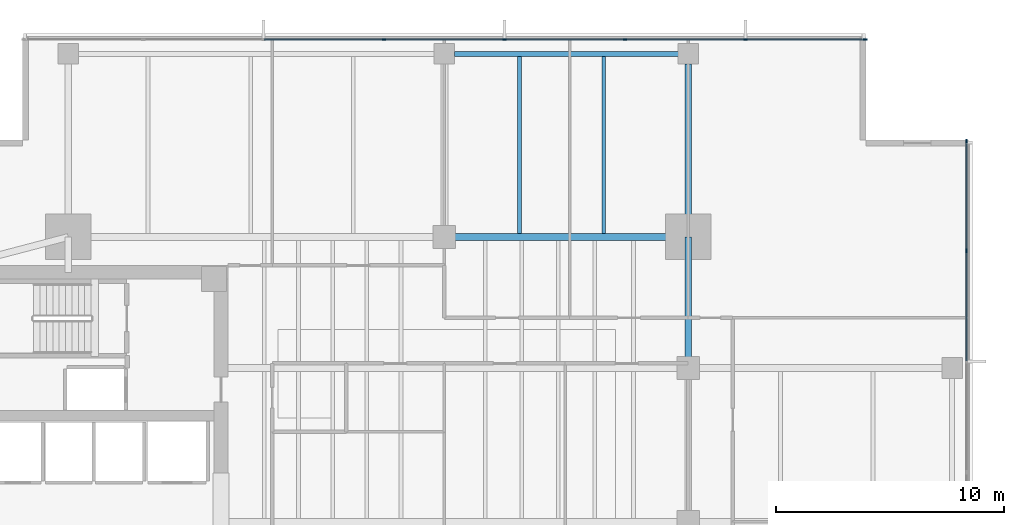
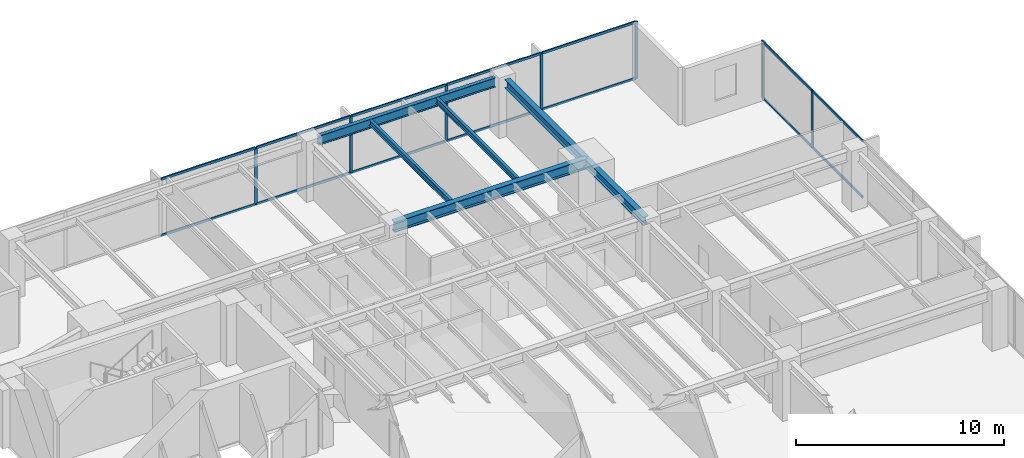
# One storey, part 6 of 14: 21 members, 6 beams, 2 elements without a shape of their own.
"""IFC4 building model written with IfcOpenShell, lengths in metres."""

from ifc_helpers import new_model, si_unit, direction, frame, origin, origin_2d, place, context, subcontext, project, spatial, rectangle, i_section, extrude, material, layer, layer_set, material_profile, profile_set, type_object, element, aggregate, save


model = new_model("IFC4")

# Units and contexts
model_context = context("Model", 3, precision=1e-05, world=origin(), true_north=direction((0.0, 1.0)))
body_context = subcontext(model_context, "Body", "Model", "MODEL_VIEW")
ifc_project = project(units=[si_unit("LENGTHUNIT", "METRE"), si_unit("AREAUNIT", "SQUARE_METRE"), si_unit("VOLUMEUNIT", "CUBIC_METRE"), si_unit("PLANEANGLEUNIT", "RADIAN"), si_unit("MASSUNIT", "GRAM", prefix="KILO")], contexts=[model_context])

# Site, building, storey
site_placement = place(None, origin())
site = spatial("IfcSite", under=ifc_project, at=site_placement, CompositionType="ELEMENT")
building_placement = place(site_placement, origin())
building = spatial("IfcBuilding", under=site, at=building_placement, Name="Kinhvarn Gate Tower", CompositionType="ELEMENT")
storey_placement = place(building_placement, frame((0.0, 0.0, 123.550048828125)))
storey = spatial("IfcBuildingStorey", under=building, at=storey_placement, Name="L32", CompositionType="ELEMENT", Elevation=123.550048828125)

# Curtain wall, members
ifc_material_1 = material(Name="Anodised aluminium AW-6063", Category="aluminium")
ifc_layer = layer(ifc_material_1, 0.179931640625)
ifc_layer_set = layer_set([ifc_layer], Name="Anodised aluminium AW-6063")
curtain_wall_type = type_object("IfcCurtainWallType", Name="CW-SYS-3", PredefinedType="NOTDEFINED", material=ifc_layer_set)
curtain_wall_1_placement = place(storey_placement, origin())
curtain_wall_1 = element("IfcCurtainWall", 1, at=curtain_wall_1_placement, inside=storey, type_object=curtain_wall_type, Name="Curtain Wall CW3 (L32)", PredefinedType="NOTDEFINED")
ifc_material_profile_1 = material_profile(ifc_material_1, rectangle(XDim=0.06494140625, YDim=0.159912109375, at=origin_2d()), Name="ALU 65x160")
ifc_profile_set_1 = profile_set([ifc_material_profile_1], Name="Anodised aluminium AW-6063")
member_type_1 = type_object("IfcMemberType", Name="CW-MUL-160", PredefinedType="MULLION", material=ifc_profile_set_1)
member_1_placement = place(storey_placement, frame((45.967529296875, 46.409912109375, 0.0), z_axis=(0.0, 0.0, 1.0), x_axis=(0.0, -1.0, 0.0)))
member_1 = element("IfcMember", 2, at=member_1_placement, type_object=member_type_1, Name="CW3 mullion 1", PredefinedType="MULLION", context=body_context, shape_type="SweptSolid", body=[
    extrude(rectangle(XDim=0.06494140625, YDim=0.159912109375, at=origin_2d()), origin(), (0.0, 0.0, 1.0), 3.369873046875),
])
member_2_placement = place(storey_placement, frame((40.71435546875, 46.409912109375, 0.0), z_axis=(0.0, 0.0, 1.0), x_axis=(0.0, -1.0, 0.0)))
member_2 = element("IfcMember", 3, at=member_2_placement, type_object=member_type_1, Name="CW3 mullion 2", PredefinedType="MULLION", context=body_context, shape_type="SweptSolid", body=[
    extrude(rectangle(XDim=0.06494140625, YDim=0.159912109375, at=origin_2d()), origin(), (0.0, 0.0, 1.0), 3.369873046875),
])
member_3_placement = place(storey_placement, frame((35.428466796875, 46.409912109375, 0.0), z_axis=(0.0, 0.0, 1.0), x_axis=(0.0, -1.0, 0.0)))
member_3 = element("IfcMember", 4, at=member_3_placement, type_object=member_type_1, Name="CW3 mullion 3", PredefinedType="MULLION", context=body_context, shape_type="SweptSolid", body=[
    extrude(rectangle(XDim=0.06494140625, YDim=0.159912109375, at=origin_2d()), origin(), (0.0, 0.0, 1.0), 3.369873046875),
])
member_4_placement = place(storey_placement, frame((30.142822265625, 46.409912109375, 0.0), z_axis=(0.0, 0.0, 1.0), x_axis=(0.0, -1.0, 0.0)))
member_4 = element("IfcMember", 5, at=member_4_placement, type_object=member_type_1, Name="CW3 mullion 4", PredefinedType="MULLION", context=body_context, shape_type="SweptSolid", body=[
    extrude(rectangle(XDim=0.06494140625, YDim=0.159912109375, at=origin_2d()), origin(), (0.0, 0.0, 1.0), 3.369873046875),
])
member_5_placement = place(storey_placement, frame((24.857177734375, 46.409912109375, 0.0), z_axis=(0.0, 0.0, 1.0), x_axis=(0.0, -1.0, 0.0)))
member_5 = element("IfcMember", 6, at=member_5_placement, type_object=member_type_1, Name="CW3 mullion 5", PredefinedType="MULLION", context=body_context, shape_type="SweptSolid", body=[
    extrude(rectangle(XDim=0.06494140625, YDim=0.159912109375, at=origin_2d()), origin(), (0.0, 0.0, 1.0), 3.369873046875),
])

curtain_wall_2_placement = place(storey_placement, origin())
curtain_wall_2 = element("IfcCurtainWall", 7, at=curtain_wall_2_placement, inside=storey, type_object=curtain_wall_type, Name="Curtain Wall CW3 (L32)", PredefinedType="NOTDEFINED")
member_6_placement = place(storey_placement, frame((50.409912109375, 37.142822265625, 0.0), z_axis=(0.0, 0.0, 1.0), x_axis=(-1.0, 0.0, 0.0)))
member_6 = element("IfcMember", 8, at=member_6_placement, type_object=member_type_1, Name="CW3 mullion 7", PredefinedType="MULLION", context=body_context, shape_type="SweptSolid", body=[
    extrude(rectangle(XDim=0.06494140625, YDim=0.159912109375, at=origin_2d()), origin(), (0.0, 0.0, 1.0), 3.369873046875),
])
member_7_placement = place(storey_placement, frame((50.409912109375, 41.967529296875, 0.0), z_axis=(0.0, 0.0, 1.0), x_axis=(-1.0, 0.0, 0.0)))
member_7 = element("IfcMember", 9, at=member_7_placement, type_object=member_type_1, Name="CW3 mullion 8", PredefinedType="MULLION", context=body_context, shape_type="SweptSolid", body=[
    extrude(rectangle(XDim=0.06494140625, YDim=0.159912109375, at=origin_2d()), origin(), (0.0, 0.0, 1.0), 3.369873046875),
])

# Member
ifc_material_profile_2 = material_profile(ifc_material_1, rectangle(XDim=0.070068359375, YDim=0.139892578125, at=origin_2d()), Name="ALU 70x140")
ifc_profile_set_2 = profile_set([ifc_material_profile_2], Name="Anodised aluminium AW-6063")
member_type_2 = type_object("IfcMemberType", Name="CW-TRN-140", PredefinedType="USERDEFINED", material=ifc_profile_set_2)
member_8_placement = place(storey_placement, frame((45.93505859375, 46.409912109375, 0.034912109375), z_axis=(-1.0, 0.0, 0.0), x_axis=(0.0, -1.0, 0.0)))
member_8 = element("IfcMember", 10, at=member_8_placement, type_object=member_type_2, Name="CW3 transom 1.1", ObjectType="TRANSOM", PredefinedType="USERDEFINED", context=body_context, shape_type="SweptSolid", body=[
    extrude(rectangle(XDim=0.070068359375, YDim=0.139892578125, at=origin_2d()), origin(), (0.0, 0.0, 1.0), 5.188232421875),
])

member_9_placement = place(storey_placement, frame((45.93505859375, 46.409912109375, 3.3349609375), z_axis=(-1.0, 0.0, 0.0), x_axis=(0.0, -1.0, 0.0)))
member_9 = element("IfcMember", 11, at=member_9_placement, type_object=member_type_2, Name="CW3 transom 1.2", ObjectType="TRANSOM", PredefinedType="USERDEFINED", context=body_context, shape_type="SweptSolid", body=[
    extrude(rectangle(XDim=0.070068359375, YDim=0.139892578125, at=origin_2d()), origin(), (0.0, 0.0, 1.0), 5.188232421875),
])

member_10_placement = place(storey_placement, frame((40.681884765625, 46.409912109375, 0.034912109375), z_axis=(-1.0, 0.0, 0.0), x_axis=(0.0, -1.0, 0.0)))
member_10 = element("IfcMember", 12, at=member_10_placement, type_object=member_type_2, Name="CW3 transom 2.1", ObjectType="TRANSOM", PredefinedType="USERDEFINED", context=body_context, shape_type="SweptSolid", body=[
    extrude(rectangle(XDim=0.070068359375, YDim=0.139892578125, at=origin_2d()), origin(), (0.0, 0.0, 1.0), 5.220703125),
])

member_11_placement = place(storey_placement, frame((40.681884765625, 46.409912109375, 3.3349609375), z_axis=(-1.0, 0.0, 0.0), x_axis=(0.0, -1.0, 0.0)))
member_11 = element("IfcMember", 13, at=member_11_placement, type_object=member_type_2, Name="CW3 transom 2.2", ObjectType="TRANSOM", PredefinedType="USERDEFINED", context=body_context, shape_type="SweptSolid", body=[
    extrude(rectangle(XDim=0.070068359375, YDim=0.139892578125, at=origin_2d()), origin(), (0.0, 0.0, 1.0), 5.220703125),
])

member_12_placement = place(storey_placement, frame((35.39599609375, 46.409912109375, 0.034912109375), z_axis=(-1.0, 0.0, 0.0), x_axis=(0.0, -1.0, 0.0)))
member_12 = element("IfcMember", 14, at=member_12_placement, type_object=member_type_2, Name="CW3 transom 3.1", ObjectType="TRANSOM", PredefinedType="USERDEFINED", context=body_context, shape_type="SweptSolid", body=[
    extrude(rectangle(XDim=0.070068359375, YDim=0.139892578125, at=origin_2d()), origin(), (0.0, 0.0, 1.0), 5.220703125),
])

member_13_placement = place(storey_placement, frame((35.39599609375, 46.409912109375, 3.3349609375), z_axis=(-1.0, 0.0, 0.0), x_axis=(0.0, -1.0, 0.0)))
member_13 = element("IfcMember", 15, at=member_13_placement, type_object=member_type_2, Name="CW3 transom 3.2", ObjectType="TRANSOM", PredefinedType="USERDEFINED", context=body_context, shape_type="SweptSolid", body=[
    extrude(rectangle(XDim=0.070068359375, YDim=0.139892578125, at=origin_2d()), origin(), (0.0, 0.0, 1.0), 5.220703125),
])

member_14_placement = place(storey_placement, frame((30.1103515625, 46.409912109375, 0.034912109375), z_axis=(-1.0, 0.0, 0.0), x_axis=(0.0, -1.0, 0.0)))
member_14 = element("IfcMember", 16, at=member_14_placement, type_object=member_type_2, Name="CW3 transom 4.1", ObjectType="TRANSOM", PredefinedType="USERDEFINED", context=body_context, shape_type="SweptSolid", body=[
    extrude(rectangle(XDim=0.070068359375, YDim=0.139892578125, at=origin_2d()), origin(), (0.0, 0.0, 1.0), 5.220703125),
])

member_15_placement = place(storey_placement, frame((30.1103515625, 46.409912109375, 3.3349609375), z_axis=(-1.0, 0.0, 0.0), x_axis=(0.0, -1.0, 0.0)))
member_15 = element("IfcMember", 17, at=member_15_placement, type_object=member_type_2, Name="CW3 transom 4.2", ObjectType="TRANSOM", PredefinedType="USERDEFINED", context=body_context, shape_type="SweptSolid", body=[
    extrude(rectangle(XDim=0.070068359375, YDim=0.139892578125, at=origin_2d()), origin(), (0.0, 0.0, 1.0), 5.220703125),
])

member_16_placement = place(storey_placement, frame((24.82470703125, 46.409912109375, 0.034912109375), z_axis=(-1.0, 0.0, 0.0), x_axis=(0.0, -1.0, 0.0)))
member_16 = element("IfcMember", 18, at=member_16_placement, type_object=member_type_2, Name="CW3 transom 5.1", ObjectType="TRANSOM", PredefinedType="USERDEFINED", context=body_context, shape_type="SweptSolid", body=[
    extrude(rectangle(XDim=0.070068359375, YDim=0.139892578125, at=origin_2d()), origin(), (0.0, 0.0, 1.0), 5.220703125),
])

member_17_placement = place(storey_placement, frame((24.82470703125, 46.409912109375, 3.3349609375), z_axis=(-1.0, 0.0, 0.0), x_axis=(0.0, -1.0, 0.0)))
member_17 = element("IfcMember", 19, at=member_17_placement, type_object=member_type_2, Name="CW3 transom 5.2", ObjectType="TRANSOM", PredefinedType="USERDEFINED", context=body_context, shape_type="SweptSolid", body=[
    extrude(rectangle(XDim=0.070068359375, YDim=0.139892578125, at=origin_2d()), origin(), (0.0, 0.0, 1.0), 5.220703125),
])

aggregate(curtain_wall_1, [member_1, member_2, member_3, member_4, member_5, member_8, member_9, member_10, member_11, member_12, member_13, member_14, member_15, member_16, member_17])

member_18_placement = place(storey_placement, frame((50.409912109375, 32.318115234375, 0.034912109375), z_axis=(0.0, 1.0, 0.0), x_axis=(-1.0, 0.0, 0.0)))
member_18 = element("IfcMember", 20, at=member_18_placement, type_object=member_type_2, Name="CW3 transom 6.1", ObjectType="TRANSOM", PredefinedType="USERDEFINED", context=body_context, shape_type="SweptSolid", body=[
    extrude(rectangle(XDim=0.070068359375, YDim=0.139892578125, at=origin_2d()), origin(), (0.0, 0.0, 1.0), 4.792236328125),
])

member_19_placement = place(storey_placement, frame((50.409912109375, 32.318115234375, 3.3349609375), z_axis=(0.0, 1.0, 0.0), x_axis=(-1.0, 0.0, 0.0)))
member_19 = element("IfcMember", 21, at=member_19_placement, type_object=member_type_2, Name="CW3 transom 6.2", ObjectType="TRANSOM", PredefinedType="USERDEFINED", context=body_context, shape_type="SweptSolid", body=[
    extrude(rectangle(XDim=0.070068359375, YDim=0.139892578125, at=origin_2d()), origin(), (0.0, 0.0, 1.0), 4.792236328125),
])

member_20_placement = place(storey_placement, frame((50.409912109375, 37.17529296875, 0.034912109375), z_axis=(0.0, 1.0, 0.0), x_axis=(-1.0, 0.0, 0.0)))
member_20 = element("IfcMember", 22, at=member_20_placement, type_object=member_type_2, Name="CW3 transom 7.1", ObjectType="TRANSOM", PredefinedType="USERDEFINED", context=body_context, shape_type="SweptSolid", body=[
    extrude(rectangle(XDim=0.070068359375, YDim=0.139892578125, at=origin_2d()), origin(), (0.0, 0.0, 1.0), 4.759765625),
])

member_21_placement = place(storey_placement, frame((50.409912109375, 37.17529296875, 3.3349609375), z_axis=(0.0, 1.0, 0.0), x_axis=(-1.0, 0.0, 0.0)))
member_21 = element("IfcMember", 23, at=member_21_placement, type_object=member_type_2, Name="CW3 transom 7.2", ObjectType="TRANSOM", PredefinedType="USERDEFINED", context=body_context, shape_type="SweptSolid", body=[
    extrude(rectangle(XDim=0.070068359375, YDim=0.139892578125, at=origin_2d()), origin(), (0.0, 0.0, 1.0), 4.759765625),
])

aggregate(curtain_wall_2, [member_6, member_7, member_18, member_19, member_20, member_21])

# Beams
ifc_material_2 = material(Name="Steel S355", Category="steel")
ifc_material_profile_3 = material_profile(ifc_material_2, i_section(OverallWidth=0.300048828125, OverallDepth=0.5, WebThickness=0.014404296875, FlangeThickness=0.028076171875, at=origin_2d()), Name="HEB 500")
ifc_profile_set_3 = profile_set([ifc_material_profile_3], Name="Steel S355")
beam_type_1 = type_object("IfcBeamType", Name="STL-HEB500", PredefinedType="BEAM", material=ifc_profile_set_3)
beam_1_placement = place(storey_placement, frame((38.199951171875, 37.75, 3.119873046875), z_axis=(0.0, 1.0, 0.0), x_axis=(-1.0, 0.0, 0.0)))
element("IfcBeam", 24, at=beam_1_placement, inside=storey, type_object=beam_type_1, Name="Floor Beam PG-14 (L32 MCE-N)", PredefinedType="BEAM", context=body_context, shape_type="SweptSolid", body=[
    extrude(i_section(OverallWidth=0.300048828125, OverallDepth=0.5, WebThickness=0.014404296875, FlangeThickness=0.028076171875, at=origin_2d()), origin(), (0.0, 0.0, 1.0), 7.594970703125),
])
beam_2_placement = place(storey_placement, frame((38.199951171875, 32.0, 3.119873046875), z_axis=(0.0, 1.0, 0.0), x_axis=(-1.0, 0.0, 0.0)))
element("IfcBeam", 25, at=beam_2_placement, inside=storey, type_object=beam_type_1, Name="Floor Beam PG-14 (L32 MG-E-32)", PredefinedType="BEAM", context=body_context, shape_type="SweptSolid", body=[
    extrude(i_section(OverallWidth=0.300048828125, OverallDepth=0.5, WebThickness=0.014404296875, FlangeThickness=0.028076171875, at=origin_2d()), origin(), (0.0, 0.0, 1.0), 5.75),
])
ifc_material_profile_4 = material_profile(ifc_material_2, i_section(OverallWidth=0.300048828125, OverallDepth=0.60009765625, WebThickness=0.015380859375, FlangeThickness=0.030029296875, at=origin_2d()), Name="HEB 600")
ifc_profile_set_4 = profile_set([ifc_material_profile_4], Name="Steel S355")
beam_type_2 = type_object("IfcBeamType", Name="STL-HEB600", PredefinedType="BEAM", material=ifc_profile_set_4)
beam_3_placement = place(storey_placement, frame((27.5, 37.75, 3.070068359375), z_axis=(1.0, 0.0, 0.0), x_axis=(0.0, 1.0, 0.0)))
element("IfcBeam", 26, at=beam_3_placement, inside=storey, type_object=beam_type_2, Name="Floor Beam PG-16 (L32 MG-N2)", PredefinedType="BEAM", context=body_context, shape_type="SweptSolid", body=[
    extrude(i_section(OverallWidth=0.300048828125, OverallDepth=0.60009765625, WebThickness=0.015380859375, FlangeThickness=0.030029296875, at=origin_2d()), origin(), (0.0, 0.0, 1.0), 10.699951171875),
])
ifc_material_profile_5 = material_profile(ifc_material_2, i_section(OverallWidth=0.159912109375, OverallDepth=0.330078125, WebThickness=0.007568359375, FlangeThickness=0.011474609375, at=origin_2d()), Name="IPE 330")
ifc_profile_set_5 = profile_set([ifc_material_profile_5], Name="Steel S355")
beam_type_3 = type_object("IfcBeamType", Name="STL-IPE330", PredefinedType="JOIST", material=ifc_profile_set_5)
for number, where, z_axis, x_axis, name in (
    (27, (30.800048828125, 37.89990234375, 3.204833984375), (0.0, 1.0, 0.0), (-1.0, 0.0, 0.0), "Floor Joist SB-03 (L32 JN-X308)"),
    (28, (34.5, 37.89990234375, 3.204833984375), (0.0, 1.0, 0.0), (-1.0, 0.0, 0.0), "Floor Joist SB-03 (L32 JN-X345)"),
):
    element("IfcBeam", number, at=place(storey_placement, frame(where, z_axis=z_axis, x_axis=x_axis)), inside=storey, type_object=beam_type_3, Name=name, PredefinedType="JOIST", context=body_context, shape_type="SweptSolid", body=[
        extrude(i_section(OverallWidth=0.159912109375, OverallDepth=0.330078125, WebThickness=0.007568359375, FlangeThickness=0.011474609375, at=origin_2d()), origin(), (0.0, 0.0, 1.0), 7.775146484375),
    ])
ifc_material_profile_6 = material_profile(ifc_material_2, i_section(OverallWidth=0.2099609375, OverallDepth=0.550048828125, WebThickness=0.010986328125, FlangeThickness=0.01708984375, at=origin_2d()), Name="IPE 550")
ifc_profile_set_6 = profile_set([ifc_material_profile_6], Name="Steel S355")
beam_type_4 = type_object("IfcBeamType", Name="STL-IPE550", PredefinedType="SPANDREL", material=ifc_profile_set_6)
beam_4_placement = place(storey_placement, frame((27.93505859375, 45.780029296875, 3.094970703125), z_axis=(1.0, 0.0, 0.0), x_axis=(0.0, 1.0, 0.0)))
element("IfcBeam", 29, at=beam_4_placement, inside=storey, type_object=beam_type_4, Name="Floor Spandrel SB-08 (L32 SP-N2)", PredefinedType="SPANDREL", context=body_context, shape_type="SweptSolid", body=[
    extrude(i_section(OverallWidth=0.2099609375, OverallDepth=0.550048828125, WebThickness=0.010986328125, FlangeThickness=0.01708984375, at=origin_2d()), origin(), (0.0, 0.0, 1.0), 9.829833984375),
])

save(model, "model.ifc")
